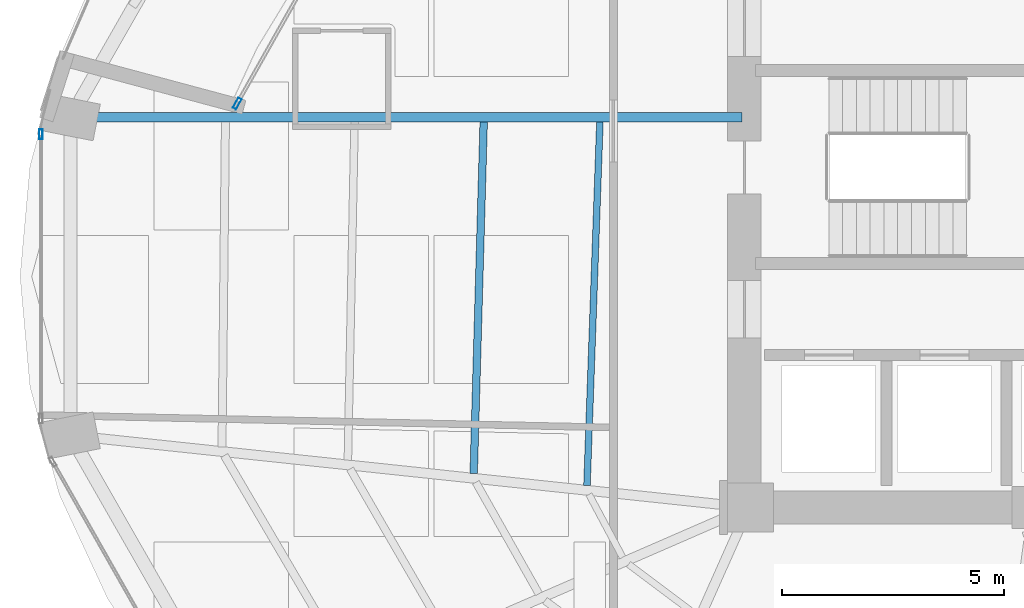
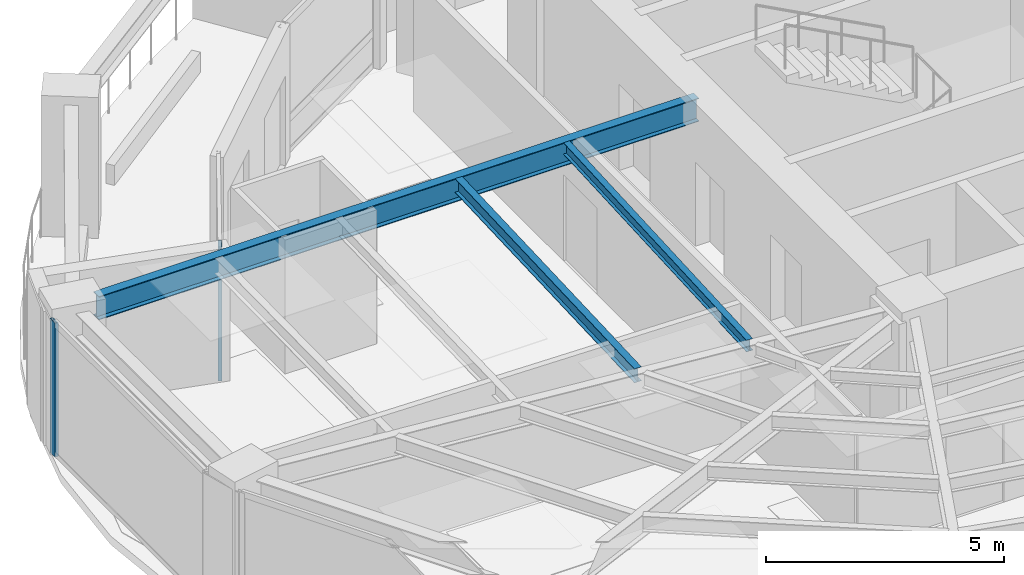
# One storey, part 8 of 24: 3 beams, 2 members, 2 elements without a shape of their own.
"""IFC4 building model written with IfcOpenShell, lengths in metres."""

from ifc_helpers import new_model, si_unit, direction, frame, origin, origin_2d, place, context, subcontext, project, spatial, hollow_rectangle, i_section, extrude, material, layer, layer_set, material_profile, profile_set, type_object, element, aggregate, save


model = new_model("IFC4")

# Units and contexts
model_context = context("Model", 3, precision=1e-05, world=origin(), true_north=direction((0.0, 1.0)))
body_context = subcontext(model_context, "Body", "Model", "MODEL_VIEW")
ifc_project = project(units=[si_unit("LENGTHUNIT", "METRE"), si_unit("AREAUNIT", "SQUARE_METRE"), si_unit("VOLUMEUNIT", "CUBIC_METRE"), si_unit("PLANEANGLEUNIT", "RADIAN"), si_unit("MASSUNIT", "GRAM", prefix="KILO")], contexts=[model_context])

# Site, building, storey
site_placement = place(None, origin())
site = spatial("IfcSite", under=ifc_project, at=site_placement, CompositionType="ELEMENT")
building_placement = place(site_placement, origin())
building = spatial("IfcBuilding", under=site, at=building_placement, Name="Lazwardi Medical Tower", CompositionType="ELEMENT")
storey_placement = place(building_placement, frame((0.0, 0.0, 110.927978515625)))
storey = spatial("IfcBuildingStorey", under=building, at=storey_placement, Name="L28", CompositionType="ELEMENT", Elevation=110.927978515625)

# Beams
ifc_material_1 = material(Name="Steel S355", Category="steel")
ifc_material_profile_1 = material_profile(ifc_material_1, i_section(OverallWidth=0.219970703125, OverallDepth=0.60009765625, WebThickness=0.011962890625, FlangeThickness=0.01904296875, at=origin_2d()), Name="IPE 600")
ifc_profile_set_1 = profile_set([ifc_material_profile_1], Name="Steel S355")
beam_type_1 = type_object("IfcBeamType", Name="BM-RG-W1", PredefinedType="BEAM", material=ifc_profile_set_1)
beam_1_placement = place(storey_placement, frame((11.717041015625, 29.179931640625, 3.1279296875), z_axis=(1.0, 0.0, 0.0), x_axis=(0.0, 1.0, 0.0)))
element("IfcBeam", 1, at=beam_1_placement, inside=storey, type_object=beam_type_1, Name="Radial girder RG-02 R12 L28", PredefinedType="BEAM", context=body_context, shape_type="SweptSolid", body=[
    extrude(i_section(OverallWidth=0.219970703125, OverallDepth=0.60009765625, WebThickness=0.011962890625, FlangeThickness=0.01904296875, at=origin_2d()), origin(), (0.0, 0.0, 1.0), 14.532958984375),
])
ifc_material_profile_2 = material_profile(ifc_material_1, i_section(OverallWidth=0.169921875, OverallDepth=0.360107421875, WebThickness=0.008056640625, FlangeThickness=0.0126953125, at=origin_2d()), Name="IPE 360")
ifc_profile_set_2 = profile_set([ifc_material_profile_2], Name="Steel S355")
beam_type_2 = type_object("IfcBeamType", Name="BM-SJ-02", PredefinedType="JOIST", material=ifc_profile_set_2)
beam_2_placement = place(storey_placement, frame((20.433837890625, 29.074951171875, 3.248046875), z_axis=(-0.028374870846, -0.99959735229, 0.0), x_axis=(0.99959735229, -0.028374870846, 0.0)))
element("IfcBeam", 2, at=beam_2_placement, inside=storey, type_object=beam_type_2, Name="Secondary joist SJ-02 R3 B12 L28", PredefinedType="JOIST", context=body_context, shape_type="SweptSolid", body=[
    extrude(i_section(OverallWidth=0.169921875, OverallDepth=0.360107421875, WebThickness=0.008056640625, FlangeThickness=0.0126953125, at=origin_2d()), origin(), (0.0, 0.0, 1.0), 7.915771484375),
])
ifc_material_profile_3 = material_profile(ifc_material_1, i_section(OverallWidth=0.14990234375, OverallDepth=0.300048828125, WebThickness=0.007080078125, FlangeThickness=0.0107421875, at=origin_2d()), Name="IPE 300")
ifc_profile_set_3 = profile_set([ifc_material_profile_3], Name="Steel S355")
beam_type_3 = type_object("IfcBeamType", Name="BM-SJ-03", PredefinedType="JOIST", material=ifc_profile_set_3)
beam_3_placement = place(storey_placement, frame((23.049072265625, 29.074951171875, 3.278076171875), z_axis=(-0.035571351764, -0.99936713921, 0.0), x_axis=(0.99936713921, -0.035571351764, 0.0)))
element("IfcBeam", 3, at=beam_3_placement, inside=storey, type_object=beam_type_3, Name="Secondary joist SJ-03 R4 B12 L28", PredefinedType="JOIST", context=body_context, shape_type="SweptSolid", body=[
    extrude(i_section(OverallWidth=0.14990234375, OverallDepth=0.300048828125, WebThickness=0.007080078125, FlangeThickness=0.0107421875, at=origin_2d()), origin(), (0.0, 0.0, 1.0), 8.18798828125),
])

# Curtain wall, member
ifc_material_2 = material(Name="Anodised bronze aluminium and solar control glazing", Category="aluminium")
ifc_layer_1 = layer(ifc_material_2, 0.195068359375)
ifc_layer_set_1 = layer_set([ifc_layer_1], Name="Anodised bronze aluminium and solar control glazing")
curtain_wall_type_1 = type_object("IfcCurtainWallType", Name="CW-SYS-03", PredefinedType="NOTDEFINED", material=ifc_layer_set_1)
curtain_wall_1_placement = place(storey_placement, origin())
curtain_wall_1 = element("IfcCurtainWall", 4, at=curtain_wall_1_placement, inside=storey, type_object=curtain_wall_type_1, Name="L28 Unitised bronze curtain wall CW-03", PredefinedType="NOTDEFINED")
ifc_material_3 = material(Name="Anodised bronze aluminium", Category="aluminium")
ifc_material_profile_4 = material_profile(ifc_material_3, hollow_rectangle(XDim=0.074951171875, YDim=0.219970703125, WallThickness=0.00390625, at=origin_2d()), Name="ALU-MULLION 220x75x4")
ifc_profile_set_4 = profile_set([ifc_material_profile_4], Name="Anodised bronze aluminium")
member_type_1 = type_object("IfcMemberType", Name="CW-MUL-01", PredefinedType="MULLION", material=ifc_profile_set_4)
member_1_placement = place(storey_placement, frame((10.471923828125, 28.79736328125, 0.0), z_axis=(0.0, 0.0, 1.0), x_axis=(1.0, 0.0, 0.0)))
member_1 = element("IfcMember", 5, at=member_1_placement, type_object=member_type_1, Name="CW-03 mullion 1", PredefinedType="MULLION", context=body_context, shape_type="SweptSolid", body=[
    extrude(hollow_rectangle(XDim=0.074951171875, YDim=0.219970703125, WallThickness=0.00390625, at=origin_2d()), origin(), (0.0, 0.0, 1.0), 3.427978515625),
])
aggregate(curtain_wall_1, [member_1])

ifc_layer_2 = layer(ifc_material_2, 0.239990234375)
ifc_layer_set_2 = layer_set([ifc_layer_2], Name="Anodised bronze aluminium and solar control glazing")
curtain_wall_type_2 = type_object("IfcCurtainWallType", Name="CW-SYS-05", PredefinedType="NOTDEFINED", material=ifc_layer_set_2)
curtain_wall_2_placement = place(storey_placement, origin())
curtain_wall_2 = element("IfcCurtainWall", 6, at=curtain_wall_2_placement, inside=storey, type_object=curtain_wall_type_2, Name="L28 Unitised bronze curtain wall CW-05", PredefinedType="NOTDEFINED")
ifc_material_profile_5 = material_profile(ifc_material_3, hollow_rectangle(XDim=0.0849609375, YDim=0.260009765625, WallThickness=0.0048828125, at=origin_2d()), Name="ALU-MULLION 260x85x5")
ifc_profile_set_5 = profile_set([ifc_material_profile_5], Name="Anodised bronze aluminium")
member_type_2 = type_object("IfcMemberType", Name="CW-MUL-02", PredefinedType="MULLION", material=ifc_profile_set_5)
member_2_placement = place(storey_placement, frame((14.886474609375, 29.48828125, 0.0), z_axis=(0.0, 0.0, 1.0), x_axis=(0.870845840727, -0.491556224341, 0.0)))
member_2 = element("IfcMember", 7, at=member_2_placement, type_object=member_type_2, Name="CW-05 mullion 2", PredefinedType="MULLION", context=body_context, shape_type="SweptSolid", body=[
    extrude(hollow_rectangle(XDim=0.0849609375, YDim=0.260009765625, WallThickness=0.0048828125, at=origin_2d()), origin(), (0.0, 0.0, 1.0), 3.427978515625),
])
aggregate(curtain_wall_2, [member_2])

save(model, "model.ifc")
